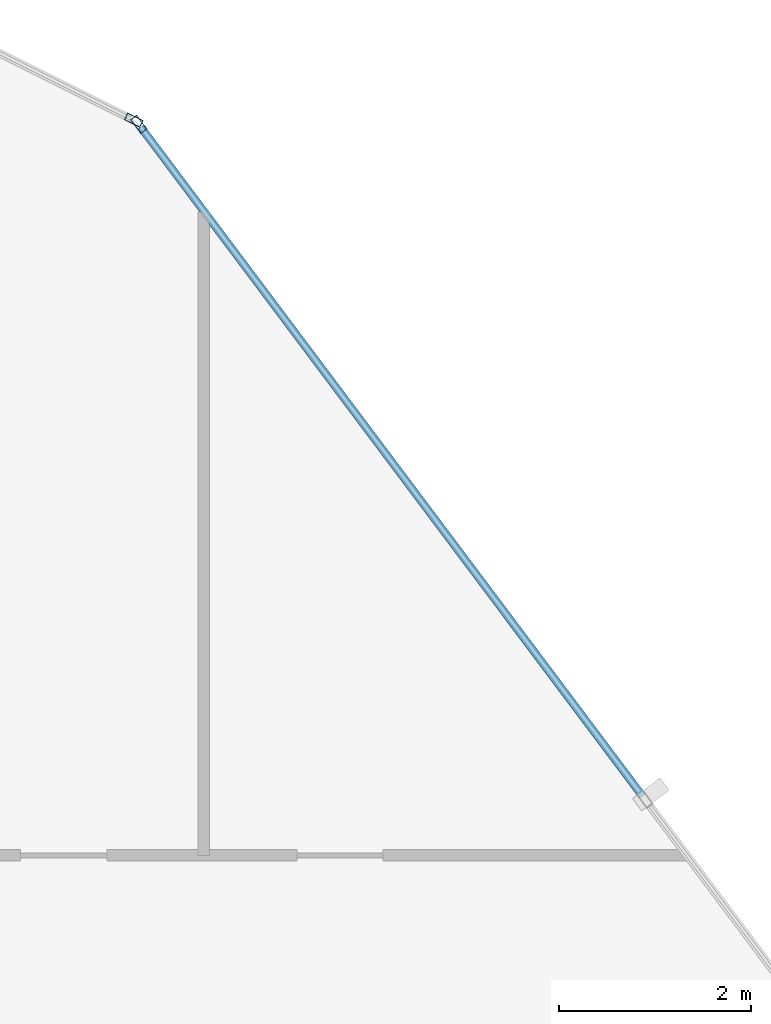
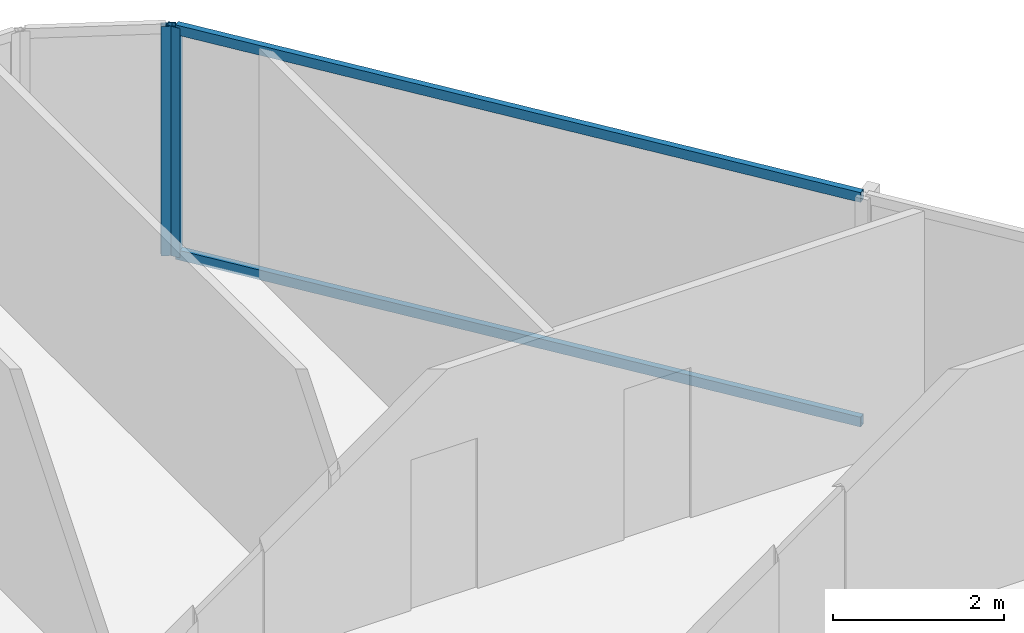
# One storey, part 22 of 31: 4 members, 2 elements without a shape of their own.
"""IFC4 building model written with IfcOpenShell, lengths in metres."""

import ifcopenshell
import ifcopenshell.guid

model = None  # the IFC model being written
_history = None  # IfcOwnerHistory: only IFC2X3 demands one
_inside = {}  # id of a spatial element -> (the spatial element, [elements in it])
_under = {}  # id of a project, library or spatial element -> (it, [spatial elements below it])
_declared = {}  # id of a project -> (the project, [libraries it declares])
_typed = {}  # id of a type object -> (the type object, [elements of that type])
_made_of = {}  # id of a material, layer set ... -> (it, [elements and type objects made of it])


def new_model(schema):
    """Start an empty IFC model of exactly this schema.

    Asked for "IFC4X3", IfcOpenShell would pick the latest addendum, in which some entities
    have other attributes; the version numbers below select the first issue.
    IFC2X3 requires an IfcOwnerHistory on every rooted entity: one is made here for all.
    """
    global model, _history
    if schema == "IFC4X3":
        model = ifcopenshell.file(schema_version=(4, 3, 0, 0))
    else:
        model = ifcopenshell.file(schema=schema)
    _inside.clear()
    _under.clear()
    _declared.clear()
    _typed.clear()
    _made_of.clear()
    _history = None
    if model.schema == "IFC2X3":
        org = make("IfcOrganization", Name="unknown")
        user = make(
            "IfcPersonAndOrganization",
            ThePerson=make("IfcPerson", FamilyName="unknown"),
            TheOrganization=org,
        )
        app = make(
            "IfcApplication",
            ApplicationDeveloper=org,
            Version="unknown",
            ApplicationFullName="unknown",
            ApplicationIdentifier="unknown",
        )
        _history = make(
            "IfcOwnerHistory",
            OwningUser=user,
            OwningApplication=app,
            ChangeAction="ADDED",
            CreationDate=0,
        )
    return model


def make(cls, **values):
    """One entity of the class cls with the attributes given. An attribute that is None is left unset."""
    return model.create_entity(
        cls, **{name: value for name, value in values.items() if value is not None}
    )


def rooted(cls, **values):
    """An entity with a GlobalId (a new one), such as an element, a storey or a relation."""
    return make(cls, GlobalId=ifcopenshell.guid.new(), OwnerHistory=_history, **values)


def si_unit(unit_type, name, prefix=None):
    """IfcSIUnit, for example si_unit("LENGTHUNIT", "METRE", prefix="MILLI")."""
    return make("IfcSIUnit", UnitType=unit_type, Prefix=prefix, Name=name)


def assignment(units):
    """IfcUnitAssignment: the units of a project."""
    return None if units is None else make("IfcUnitAssignment", Units=units)


def point(xyz):
    """IfcCartesianPoint."""
    return None if xyz is None else make("IfcCartesianPoint", Coordinates=xyz)


def direction(xyz):
    """IfcDirection."""
    return None if xyz is None else make("IfcDirection", DirectionRatios=xyz)


def frame(location, z_axis=None, x_axis=None):
    """IfcAxis2Placement3D, a coordinate frame: its origin and axes. An axis left out is left unset."""
    return make(
        "IfcAxis2Placement3D",
        Location=point(location),
        Axis=direction(z_axis),
        RefDirection=direction(x_axis),
    )


def frame_2d(location, x_axis=None):
    """IfcAxis2Placement2D, a coordinate frame in the plane: its origin and x axis."""
    return make(
        "IfcAxis2Placement2D", Location=point(location), RefDirection=direction(x_axis)
    )


def origin():
    """The frame at (0, 0, 0) with its axes left unset."""
    return frame((0.0, 0.0, 0.0))


def origin_2d():
    """The frame at (0, 0) in the plane with its x axis left unset."""
    return frame_2d((0.0, 0.0))


def place(relative_to, where):
    """IfcLocalPlacement: puts the frame where relative to a parent placement (None: the world)."""
    return make(
        "IfcLocalPlacement", PlacementRelTo=relative_to, RelativePlacement=where
    )


def context(
    kind, dimensions, precision=None, world=None, true_north=None, identifier=None
):
    """IfcGeometricRepresentationContext, for example the 3D "Model" context."""
    return make(
        "IfcGeometricRepresentationContext",
        ContextIdentifier=identifier,
        ContextType=kind,
        CoordinateSpaceDimension=dimensions,
        Precision=precision,
        WorldCoordinateSystem=world,
        TrueNorth=true_north,
    )


def subcontext(parent, identifier, kind, view, scale=None):
    """IfcGeometricRepresentationSubContext, for example "Body" below "Model"."""
    return make(
        "IfcGeometricRepresentationSubContext",
        ContextIdentifier=identifier,
        ContextType=kind,
        ParentContext=parent,
        TargetScale=scale,
        TargetView=view,
    )


def project(units=None, contexts=None):
    """IfcProject with its units and contexts."""
    return rooted(
        "IfcProject",
        Name="project",
        RepresentationContexts=contexts,
        UnitsInContext=assignment(units),
    )


def spatial(cls, under=None, at=None, **own):
    """A site, building, storey or space (cls), placed at a placement, below another one or the project."""
    s = rooted(cls, ObjectPlacement=at, **own)
    if under is not None:
        _under.setdefault(under.id(), (under, []))[1].append(s)
    return s


def profile(cls, at=None, kind="AREA", **sizes):
    """A parametric profile (cls). Its sizes go by their IFC names, for example OverallWidth=200.0."""
    return make(cls, ProfileType=kind, Position=at, **sizes)


def hollow_rectangle(**sizes):
    """IfcRectangleHollowProfileDef."""
    return profile("IfcRectangleHollowProfileDef", **sizes)


def extrude(swept, where, along, depth):
    """IfcExtrudedAreaSolid: the profile swept, set in the frame where, extruded along a direction by depth."""
    return make(
        "IfcExtrudedAreaSolid",
        SweptArea=swept,
        Position=where,
        ExtrudedDirection=direction(along),
        Depth=depth,
    )


def shape(context_of_items, identifier, shape_type, items):
    """IfcShapeRepresentation: the items that make up one representation, for example the "Body"."""
    return make(
        "IfcShapeRepresentation",
        ContextOfItems=context_of_items,
        RepresentationIdentifier=identifier,
        RepresentationType=shape_type,
        Items=items,
    )


def material(Name=None, Category=None):
    """IfcMaterial."""
    return make("IfcMaterial", Name=Name, Category=Category)


def layer(
    of_material, thickness, ventilated=None, Name=None, Category=None, Priority=None
):
    """IfcMaterialLayer: one layer of a wall or slab, of a material (None: an air gap)."""
    return make(
        "IfcMaterialLayer",
        Material=of_material,
        LayerThickness=thickness,
        IsVentilated=ventilated,
        Name=Name,
        Category=Category,
        Priority=Priority,
    )


def layer_set(layers, Name=None):
    """IfcMaterialLayerSet."""
    return make("IfcMaterialLayerSet", MaterialLayers=layers, LayerSetName=Name)


def material_profile(
    of_material, cross_section, Name=None, Category=None, Priority=None
):
    """IfcMaterialProfile: a cross section and its material."""
    return make(
        "IfcMaterialProfile",
        Name=Name,
        Material=of_material,
        Profile=cross_section,
        Priority=Priority,
        Category=Category,
    )


def profile_set(profiles, Name=None, composite=None):
    """IfcMaterialProfileSet."""
    return make(
        "IfcMaterialProfileSet",
        Name=Name,
        MaterialProfiles=profiles,
        CompositeProfile=composite,
    )


def made_of(thing, what):
    """Note that an element or type object is made of a material, layer set ...; save() writes the relation."""
    if what is not None:
        _made_of.setdefault(what.id(), (what, []))[1].append(thing)
    return thing


def type_object(cls, material=None, **own):
    """A type object (cls), such as IfcWallType, which elements share."""
    return made_of(rooted(cls, **own), material)


def element(
    cls,
    number,
    at=None,
    inside=None,
    cuts=None,
    type_object=None,
    material=None,
    context=None,
    identifier="Body",
    shape_type=None,
    held_by="IfcProductDefinitionShape",
    body=None,
    shapes=None,
    **own,
):
    """One element of the class cls, such as IfcWall. Its Tag is "e" and its number.

    at: its placement. inside: the storey or other place that contains it. cuts: it is an
    opening in that element (IfcRelVoidsElement). A single representation is given by context,
    identifier, shape_type and body (its items); several are given by shapes. held_by: the class
    of the entity that holds the representations. save() writes the other relations.
    """
    e = rooted(cls, Tag="e%d" % number, ObjectPlacement=at, **own)
    if body is not None:
        shapes = [shape(context, identifier, shape_type, body)]
    if shapes is not None:
        e.Representation = make(held_by, Representations=shapes)
    if inside is not None:
        _inside.setdefault(inside.id(), (inside, []))[1].append(e)
    if cuts is not None:
        rooted(
            "IfcRelVoidsElement", RelatingBuildingElement=cuts, RelatedOpeningElement=e
        )
    if type_object is not None:
        _typed.setdefault(type_object.id(), (type_object, []))[1].append(e)
    return made_of(e, material)


def aggregate(whole, parts):
    """IfcRelAggregates: a whole, such as a stair, and the parts it consists of."""
    return rooted("IfcRelAggregates", RelatingObject=whole, RelatedObjects=parts)


def save(model, path):
    """Write the relations noted so far, then the file.

    IfcRelAggregates (storeys below a building ...), IfcRelContainedInSpatialStructure (elements
    in a storey), IfcRelDefinesByType, IfcRelAssociatesMaterial and IfcRelDeclares: one each for
    every whole, place, type object, material and project.
    """
    for whole, parts in _under.values():
        aggregate(whole, parts)
    for where, things in _inside.values():
        rooted(
            "IfcRelContainedInSpatialStructure",
            RelatedElements=things,
            RelatingStructure=where,
        )
    for kind, things in _typed.values():
        rooted("IfcRelDefinesByType", RelatedObjects=things, RelatingType=kind)
    for what, things in _made_of.values():
        rooted("IfcRelAssociatesMaterial", RelatedObjects=things, RelatingMaterial=what)
    for by, libraries in _declared.values():
        rooted("IfcRelDeclares", RelatingContext=by, RelatedDefinitions=libraries)
    model.write(path)


model = new_model("IFC4")

# Units and contexts
model_context = context("Model", 3, precision=1e-05, world=origin(), true_north=direction((0.0, 1.0)))
body_context = subcontext(model_context, "Body", "Model", "MODEL_VIEW")
ifc_project = project(units=[si_unit("LENGTHUNIT", "METRE"), si_unit("AREAUNIT", "SQUARE_METRE"), si_unit("VOLUMEUNIT", "CUBIC_METRE"), si_unit("PLANEANGLEUNIT", "RADIAN"), si_unit("MASSUNIT", "GRAM", prefix="KILO")], contexts=[model_context])

# Site, building, storey
site_placement = place(None, origin())
site = spatial("IfcSite", under=ifc_project, at=site_placement, CompositionType="ELEMENT")
building_placement = place(site_placement, origin())
building = spatial("IfcBuilding", under=site, at=building_placement, Name="Keshet Zoharim Tower", CompositionType="ELEMENT")
storey_placement = place(building_placement, frame((0.0, 0.0, 155.699951171875)))
storey = spatial("IfcBuildingStorey", under=building, at=storey_placement, Name="L38", CompositionType="ELEMENT", Elevation=155.699951171875)

# Curtain wall, member
ifc_material = material(Name="Aluminium 6063-T6", Category="aluminium")
ifc_layer = layer(ifc_material, 0.159912109375)
ifc_layer_set = layer_set([ifc_layer], Name="Aluminium 6063-T6")
curtain_wall_type = type_object("IfcCurtainWallType", Name="CW-SYS-03", PredefinedType="NOTDEFINED", material=ifc_layer_set)
curtain_wall_1_placement = place(storey_placement, origin())
curtain_wall_1 = element("IfcCurtainWall", 1, at=curtain_wall_1_placement, inside=storey, type_object=curtain_wall_type, Name="L38 Unitised Curtain Wall 14", PredefinedType="NOTDEFINED")
ifc_material_profile_1 = material_profile(ifc_material, hollow_rectangle(XDim=0.080078125, YDim=0.179931640625, WallThickness=0.00439453125, at=origin_2d()), Name="MUL-80x180")
ifc_profile_set_1 = profile_set([ifc_material_profile_1], Name="Aluminium 6063-T6")
member_type_1 = type_object("IfcMemberType", Name="CWM-M18", PredefinedType="MULLION", material=ifc_profile_set_1)
member_1_placement = place(storey_placement, frame((51.568603515625, 53.11572265625, 0.0), z_axis=(0.0, 0.0, 1.0), x_axis=(0.447213595499, 0.894427191001, 0.0)))
member_1 = element("IfcMember", 2, at=member_1_placement, type_object=member_type_1, Name="CW-03 mullion 2", PredefinedType="MULLION", context=body_context, shape_type="SweptSolid", body=[
    extrude(hollow_rectangle(XDim=0.080078125, YDim=0.179931640625, WallThickness=0.00439453125, at=origin_2d()), origin(), (0.0, 0.0, 1.0), 3.280029296875),
])
aggregate(curtain_wall_1, [member_1])

# Curtain wall, members
curtain_wall_2_placement = place(storey_placement, origin())
curtain_wall_2 = element("IfcCurtainWall", 3, at=curtain_wall_2_placement, inside=storey, type_object=curtain_wall_type, Name="L38 Unitised Curtain Wall 15", PredefinedType="NOTDEFINED")
member_2_placement = place(storey_placement, frame((51.62109375, 53.072021484375, 0.0), z_axis=(0.0, 0.0, 1.0), x_axis=(0.799999999998, 0.600000000002, 0.0)))
member_2 = element("IfcMember", 4, at=member_2_placement, type_object=member_type_1, Name="CW-03 mullion 1", PredefinedType="MULLION", context=body_context, shape_type="SweptSolid", body=[
    extrude(hollow_rectangle(XDim=0.080078125, YDim=0.179931640625, WallThickness=0.00439453125, at=origin_2d()), origin(), (0.0, 0.0, 1.0), 3.280029296875),
])
ifc_material_profile_2 = material_profile(ifc_material, hollow_rectangle(XDim=0.080078125, YDim=0.139892578125, WallThickness=0.00390625, at=origin_2d()), Name="TRN-80x140")
ifc_profile_set_2 = profile_set([ifc_material_profile_2], Name="Aluminium 6063-T6")
member_type_2 = type_object("IfcMemberType", Name="CWT-T14", PredefinedType="USERDEFINED", material=ifc_profile_set_2)
member_3_placement = place(storey_placement, frame((51.64208984375, 53.0439453125, 0.03515625), z_axis=(0.599991043201, -0.800006717521, 0.0), x_axis=(0.800006717521, 0.599991043201, 0.0)))
member_3 = element("IfcMember", 5, at=member_3_placement, type_object=member_type_2, Name="CW-03 transom 1.1", ObjectType="TRANSOM", PredefinedType="USERDEFINED", context=body_context, shape_type="SweptSolid", body=[
    extrude(hollow_rectangle(XDim=0.080078125, YDim=0.139892578125, WallThickness=0.00390625, at=origin_2d()), origin(), (0.0, 0.0, 1.0), 8.722412109375),
])
member_4_placement = place(storey_placement, frame((51.64208984375, 53.0439453125, 3.2451171875), z_axis=(0.599991043201, -0.800006717521, 0.0), x_axis=(0.800006717521, 0.599991043201, 0.0)))
member_4 = element("IfcMember", 6, at=member_4_placement, type_object=member_type_2, Name="CW-03 transom 1.2", ObjectType="TRANSOM", PredefinedType="USERDEFINED", context=body_context, shape_type="SweptSolid", body=[
    extrude(hollow_rectangle(XDim=0.080078125, YDim=0.139892578125, WallThickness=0.00390625, at=origin_2d()), origin(), (0.0, 0.0, 1.0), 8.722412109375),
])
aggregate(curtain_wall_2, [member_2, member_3, member_4])

save(model, "model.ifc")
